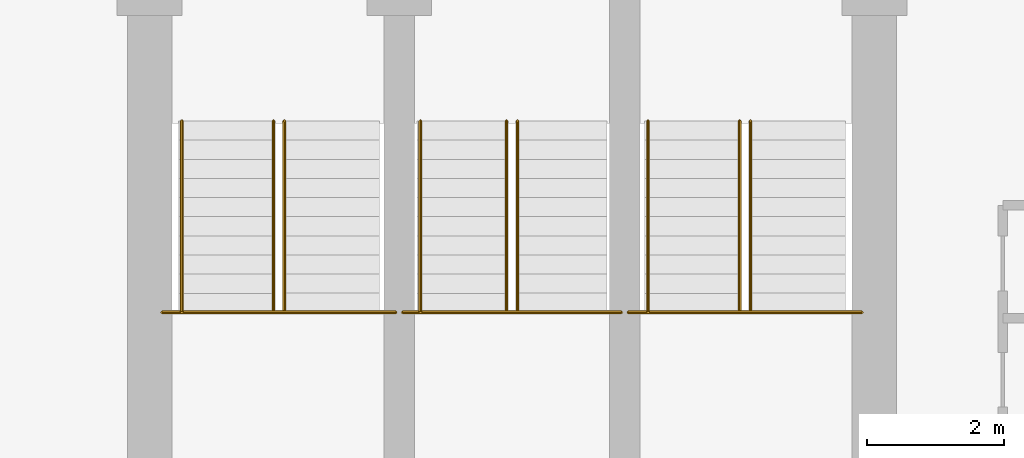
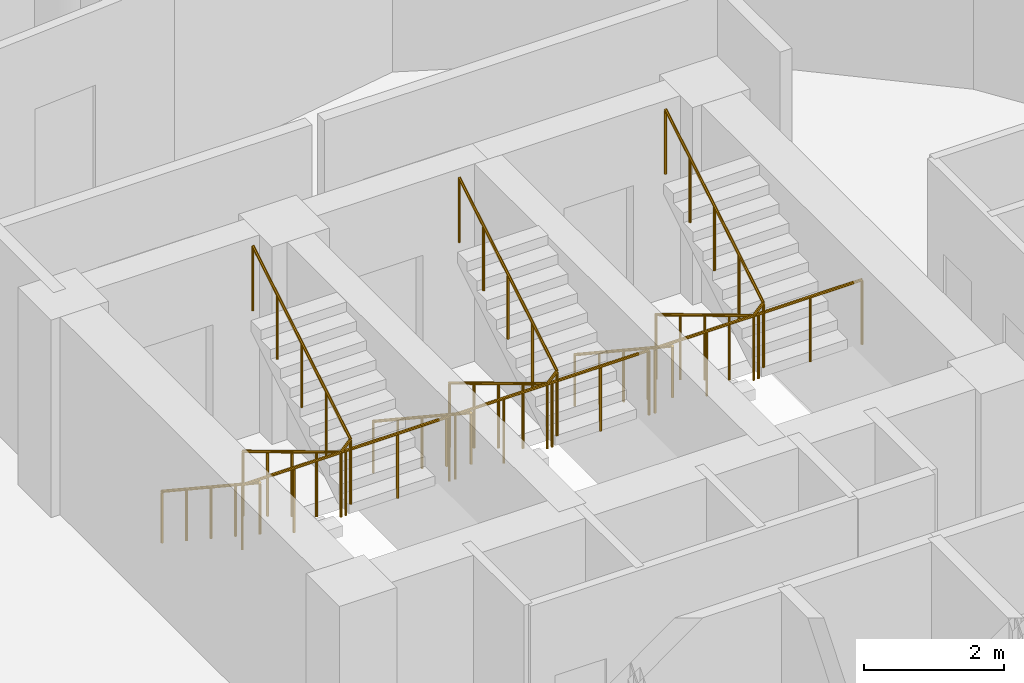
# One storey, part 26 of 26: 9 railings.
"""IFC4 building model written with IfcOpenShell, lengths in metres."""

from ifc_helpers import new_model, si_unit, direction, frame, origin, place, context, subcontext, project, spatial, polyline, outline, extrude, material, type_object, element, save


model = new_model("IFC4")

# Units and contexts
model_context = context("Model", 3, precision=1e-05, world=origin(), true_north=direction((0.0, 1.0)))
body_context = subcontext(model_context, "Body", "Model", "MODEL_VIEW")
ifc_project = project(units=[si_unit("LENGTHUNIT", "METRE"), si_unit("AREAUNIT", "SQUARE_METRE"), si_unit("VOLUMEUNIT", "CUBIC_METRE"), si_unit("PLANEANGLEUNIT", "RADIAN"), si_unit("MASSUNIT", "GRAM", prefix="KILO")], contexts=[model_context])

# Site, building, storey
site_placement = place(None, origin())
site = spatial("IfcSite", under=ifc_project, at=site_placement, CompositionType="ELEMENT")
building_placement = place(site_placement, origin())
building = spatial("IfcBuilding", under=site, at=building_placement, Name="Nuhasar Tower", CompositionType="ELEMENT")
storey_placement = place(building_placement, frame((0.0, 0.0, 170.050048828125)))
storey = spatial("IfcBuildingStorey", under=building, at=storey_placement, Name="L41", CompositionType="ELEMENT", Elevation=170.050048828125)

# Railings
ifc_material_1 = material(Name="Steel S355", Category="steel")
railing_type_1 = type_object("IfcRailingType", Name="RLG-STAIR-GUARD-1150", PredefinedType="GUARDRAIL", material=ifc_material_1)
railing_1_placement = place(storey_placement, frame((33.8798828125, 32.485107421875, 1.849853515625)))
element("IfcRailing", 1, at=railing_1_placement, inside=storey, type_object=railing_type_1, Name="L41 Stair ST-01 Guardrail LND", PredefinedType="GUARDRAIL", context=body_context, shape_type="SweptSolid", body=[
    extrude(outline(polyline([(0.024169921875, 0.0), (0.01708984375, 0.01708984375), (0.0, 0.024169921875), (-0.01708984375, 0.01708984375), (-0.024169921875, 0.0), (-0.01708984375, -0.01708984375), (0.0, -0.024169921875), (0.01708984375, -0.01708984375), (0.024169921875, 0.0)])), frame((0.0, 0.0, 1.1259765625), z_axis=(1.0, 0.0, 0.0), x_axis=(0.0, 1.0, 0.0)), (0.0, 0.0, 1.0), 3.420166015625),
    extrude(outline(polyline([(0.02099609375, 0.0), (0.014892578125, 0.014892578125), (0.0, 0.02099609375), (-0.014892578125, 0.014892578125), (-0.02099609375, 0.0), (-0.014892578125, -0.014892578125), (0.0, -0.02099609375), (0.014892578125, -0.014892578125), (0.02099609375, 0.0)])), origin(), (0.0, 0.0, 1.0), 1.101806640625),
    extrude(outline(polyline([(0.02099609375, 0.0), (0.014892578125, 0.014892578125), (0.0, 0.02099609375), (-0.014892578125, 0.014892578125), (-0.02099609375, 0.0), (-0.014892578125, -0.014892578125), (0.0, -0.02099609375), (0.014892578125, -0.014892578125), (0.02099609375, 0.0)])), frame((0.85498046875, 0.0, 0.0)), (0.0, 0.0, 1.0), 1.101806640625),
    extrude(outline(polyline([(0.02099609375, 0.0), (0.014892578125, 0.014892578125), (0.0, 0.02099609375), (-0.014892578125, 0.014892578125), (-0.02099609375, 0.0), (-0.014892578125, -0.014892578125), (0.0, -0.02099609375), (0.014892578125, -0.014892578125), (0.02099609375, 0.0)])), frame((1.7099609375, 0.0, 0.0)), (0.0, 0.0, 1.0), 1.101806640625),
    extrude(outline(polyline([(0.02099609375, 0.0), (0.014892578125, 0.014892578125), (0.0, 0.02099609375), (-0.014892578125, 0.014892578125), (-0.02099609375, 0.0), (-0.014892578125, -0.014892578125), (0.0, -0.02099609375), (0.014892578125, -0.014892578125), (0.02099609375, 0.0)])), frame((2.565185546875, 0.0, 0.0)), (0.0, 0.0, 1.0), 1.101806640625),
    extrude(outline(polyline([(0.02099609375, 0.0), (0.014892578125, 0.014892578125), (0.0, 0.02099609375), (-0.014892578125, 0.014892578125), (-0.02099609375, 0.0), (-0.014892578125, -0.014892578125), (0.0, -0.02099609375), (0.014892578125, -0.014892578125), (0.02099609375, 0.0)])), frame((3.420166015625, 0.0, 0.0)), (0.0, 0.0, 1.0), 1.101806640625),
])
railing_2_placement = place(storey_placement, frame((35.510009765625, 35.284912109375, 0.16796875)))
element("IfcRailing", 2, at=railing_2_placement, inside=storey, type_object=railing_type_1, Name="L41 Stair ST-01 Guardrail SLT", PredefinedType="GUARDRAIL", context=body_context, shape_type="SweptSolid", body=[
    extrude(outline(polyline([(0.024169921875, 0.0), (0.01708984375, 0.01708984375), (0.0, 0.024169921875), (-0.01708984375, 0.01708984375), (-0.024169921875, 0.0), (-0.01708984375, -0.01708984375), (0.0, -0.024169921875), (0.01708984375, -0.01708984375), (0.024169921875, 0.0)])), frame((0.0, 0.0, 1.1259765625), z_axis=(0.0, -0.857222391501, 0.514946377315), x_axis=(1.0, 0.0, 0.0)), (0.0, 0.0, 1.0), 3.26611328125),
    extrude(outline(polyline([(0.024169921875, 0.0), (0.01708984375, 0.01708984375), (0.0, 0.024169921875), (-0.01708984375, 0.01708984375), (-0.024169921875, 0.0), (-0.01708984375, -0.01708984375), (0.0, -0.024169921875), (0.01708984375, -0.01708984375), (0.024169921875, 0.0)])), frame((0.0, -2.7998046875, 2.8076171875), z_axis=(0.688998229536, 0.0, 0.72476302313), x_axis=(0.0, 1.0, 0.0)), (0.0, 0.0, 1.0), 0.232177734375),
    extrude(outline(polyline([(0.024169921875, 0.0), (0.01708984375, 0.01708984375), (0.0, 0.024169921875), (-0.01708984375, 0.01708984375), (-0.024169921875, 0.0), (-0.01708984375, -0.01708984375), (0.0, -0.024169921875), (0.01708984375, -0.01708984375), (0.024169921875, 0.0)])), frame((0.159912109375, -2.7998046875, 2.97607421875), z_axis=(0.0, 0.857222391501, 0.514946377315), x_axis=(-1.0, 0.0, 0.0)), (0.0, 0.0, 1.0), 3.26611328125),
    extrude(outline(polyline([(0.02099609375, 0.0), (0.014892578125, 0.014892578125), (0.0, 0.02099609375), (-0.014892578125, 0.014892578125), (-0.02099609375, 0.0), (-0.014892578125, -0.014892578125), (0.0, -0.02099609375), (0.014892578125, -0.014892578125), (0.02099609375, 0.0)])), origin(), (0.0, 0.0, 1.0), 1.101806640625),
    extrude(outline(polyline([(0.02099609375, 0.0), (0.014892578125, 0.014892578125), (0.0, 0.02099609375), (-0.014892578125, 0.014892578125), (-0.02099609375, 0.0), (-0.014892578125, -0.014892578125), (0.0, -0.02099609375), (0.014892578125, -0.014892578125), (0.02099609375, 0.0)])), frame((0.0, -0.699951171875, 0.42041015625)), (0.0, 0.0, 1.0), 1.101806640625),
    extrude(outline(polyline([(0.02099609375, 0.0), (0.014892578125, 0.014892578125), (0.0, 0.02099609375), (-0.014892578125, 0.014892578125), (-0.02099609375, 0.0), (-0.014892578125, -0.014892578125), (0.0, -0.02099609375), (0.014892578125, -0.014892578125), (0.02099609375, 0.0)])), frame((0.0, -1.39990234375, 0.8408203125)), (0.0, 0.0, 1.0), 1.101806640625),
    extrude(outline(polyline([(0.02099609375, 0.0), (0.014892578125, 0.014892578125), (0.0, 0.02099609375), (-0.014892578125, 0.014892578125), (-0.02099609375, 0.0), (-0.014892578125, -0.014892578125), (0.0, -0.02099609375), (0.014892578125, -0.014892578125), (0.02099609375, 0.0)])), frame((0.0, -2.099853515625, 1.261474609375)), (0.0, 0.0, 1.0), 1.101806640625),
    extrude(outline(polyline([(0.02099609375, 0.0), (0.014892578125, 0.014892578125), (0.0, 0.02099609375), (-0.014892578125, 0.014892578125), (-0.02099609375, 0.0), (-0.014892578125, -0.014892578125), (0.0, -0.02099609375), (0.014892578125, -0.014892578125), (0.02099609375, 0.0)])), frame((0.0, -2.7998046875, 1.681884765625)), (0.0, 0.0, 1.0), 1.101806640625),
    extrude(outline(polyline([(0.02099609375, 0.0), (0.014892578125, 0.014892578125), (0.0, 0.02099609375), (-0.014892578125, 0.014892578125), (-0.02099609375, 0.0), (-0.014892578125, -0.014892578125), (0.0, -0.02099609375), (0.014892578125, -0.014892578125), (0.02099609375, 0.0)])), frame((0.159912109375, -2.7998046875, 1.85009765625)), (0.0, 0.0, 1.0), 1.101806640625),
    extrude(outline(polyline([(0.02099609375, 0.0), (0.014892578125, 0.014892578125), (0.0, 0.02099609375), (-0.014892578125, 0.014892578125), (-0.02099609375, 0.0), (-0.014892578125, -0.014892578125), (0.0, -0.02099609375), (0.014892578125, -0.014892578125), (0.02099609375, 0.0)])), frame((0.159912109375, -2.099853515625, 2.2705078125)), (0.0, 0.0, 1.0), 1.101806640625),
    extrude(outline(polyline([(0.02099609375, 0.0), (0.014892578125, 0.014892578125), (0.0, 0.02099609375), (-0.014892578125, 0.014892578125), (-0.02099609375, 0.0), (-0.014892578125, -0.014892578125), (0.0, -0.02099609375), (0.014892578125, -0.014892578125), (0.02099609375, 0.0)])), frame((0.159912109375, -1.39990234375, 2.69091796875)), (0.0, 0.0, 1.0), 1.101806640625),
    extrude(outline(polyline([(0.02099609375, 0.0), (0.014892578125, 0.014892578125), (0.0, 0.02099609375), (-0.014892578125, 0.014892578125), (-0.02099609375, 0.0), (-0.014892578125, -0.014892578125), (0.0, -0.02099609375), (0.014892578125, -0.014892578125), (0.02099609375, 0.0)])), frame((0.159912109375, -0.699951171875, 3.111572265625)), (0.0, 0.0, 1.0), 1.101806640625),
    extrude(outline(polyline([(0.02099609375, 0.0), (0.014892578125, 0.014892578125), (0.0, 0.02099609375), (-0.014892578125, 0.014892578125), (-0.02099609375, 0.0), (-0.014892578125, -0.014892578125), (0.0, -0.02099609375), (0.014892578125, -0.014892578125), (0.02099609375, 0.0)])), frame((0.159912109375, 0.0, 3.531982421875)), (0.0, 0.0, 1.0), 1.101806640625),
])
railing_3_placement = place(storey_placement, frame((37.39990234375, 32.485107421875, 1.849853515625)))
element("IfcRailing", 3, at=railing_3_placement, inside=storey, type_object=railing_type_1, Name="L41 Stair ST-03 Guardrail LND", PredefinedType="GUARDRAIL", context=body_context, shape_type="SweptSolid", body=[
    extrude(outline(polyline([(0.024169921875, 0.0), (0.01708984375, 0.01708984375), (0.0, 0.024169921875), (-0.01708984375, 0.01708984375), (-0.024169921875, 0.0), (-0.01708984375, -0.01708984375), (0.0, -0.024169921875), (0.01708984375, -0.01708984375), (0.024169921875, 0.0)])), frame((0.0, 0.0, 1.1259765625), z_axis=(1.0, 0.0, 0.0), x_axis=(0.0, 1.0, 0.0)), (0.0, 0.0, 1.0), 3.2001953125),
    extrude(outline(polyline([(0.02099609375, 0.0), (0.014892578125, 0.014892578125), (0.0, 0.02099609375), (-0.014892578125, 0.014892578125), (-0.02099609375, 0.0), (-0.014892578125, -0.014892578125), (0.0, -0.02099609375), (0.014892578125, -0.014892578125), (0.02099609375, 0.0)])), origin(), (0.0, 0.0, 1.0), 1.101806640625),
    extrude(outline(polyline([(0.02099609375, 0.0), (0.014892578125, 0.014892578125), (0.0, 0.02099609375), (-0.014892578125, 0.014892578125), (-0.02099609375, 0.0), (-0.014892578125, -0.014892578125), (0.0, -0.02099609375), (0.014892578125, -0.014892578125), (0.02099609375, 0.0)])), frame((0.800048828125, 0.0, 0.0)), (0.0, 0.0, 1.0), 1.101806640625),
    extrude(outline(polyline([(0.02099609375, 0.0), (0.014892578125, 0.014892578125), (0.0, 0.02099609375), (-0.014892578125, 0.014892578125), (-0.02099609375, 0.0), (-0.014892578125, -0.014892578125), (0.0, -0.02099609375), (0.014892578125, -0.014892578125), (0.02099609375, 0.0)])), frame((1.60009765625, 0.0, 0.0)), (0.0, 0.0, 1.0), 1.101806640625),
    extrude(outline(polyline([(0.02099609375, 0.0), (0.014892578125, 0.014892578125), (0.0, 0.02099609375), (-0.014892578125, 0.014892578125), (-0.02099609375, 0.0), (-0.014892578125, -0.014892578125), (0.0, -0.02099609375), (0.014892578125, -0.014892578125), (0.02099609375, 0.0)])), frame((2.400146484375, 0.0, 0.0)), (0.0, 0.0, 1.0), 1.101806640625),
    extrude(outline(polyline([(0.02099609375, 0.0), (0.014892578125, 0.014892578125), (0.0, 0.02099609375), (-0.014892578125, 0.014892578125), (-0.02099609375, 0.0), (-0.014892578125, -0.014892578125), (0.0, -0.02099609375), (0.014892578125, -0.014892578125), (0.02099609375, 0.0)])), frame((3.2001953125, 0.0, 0.0)), (0.0, 0.0, 1.0), 1.101806640625),
])
railing_4_placement = place(storey_placement, frame((38.919921875, 35.284912109375, 0.16796875)))
element("IfcRailing", 4, at=railing_4_placement, inside=storey, type_object=railing_type_1, Name="L41 Stair ST-03 Guardrail SLT", PredefinedType="GUARDRAIL", context=body_context, shape_type="SweptSolid", body=[
    extrude(outline(polyline([(0.024169921875, 0.0), (0.01708984375, 0.01708984375), (0.0, 0.024169921875), (-0.01708984375, 0.01708984375), (-0.024169921875, 0.0), (-0.01708984375, -0.01708984375), (0.0, -0.024169921875), (0.01708984375, -0.01708984375), (0.024169921875, 0.0)])), frame((0.0, 0.0, 1.1259765625), z_axis=(0.0, -0.857222391501, 0.514946377315), x_axis=(1.0, 0.0, 0.0)), (0.0, 0.0, 1.0), 3.26611328125),
    extrude(outline(polyline([(0.024169921875, 0.0), (0.01708984375, 0.01708984375), (0.0, 0.024169921875), (-0.01708984375, 0.01708984375), (-0.024169921875, 0.0), (-0.01708984375, -0.01708984375), (0.0, -0.024169921875), (0.01708984375, -0.01708984375), (0.024169921875, 0.0)])), frame((0.0, -2.7998046875, 2.8076171875), z_axis=(0.689550175797, 0.0, 0.724237913298), x_axis=(0.0, 1.0, 0.0)), (0.0, 0.0, 1.0), 0.232177734375),
    extrude(outline(polyline([(0.024169921875, 0.0), (0.01708984375, 0.01708984375), (0.0, 0.024169921875), (-0.01708984375, 0.01708984375), (-0.024169921875, 0.0), (-0.01708984375, -0.01708984375), (0.0, -0.024169921875), (0.01708984375, -0.01708984375), (0.024169921875, 0.0)])), frame((0.16015625, -2.7998046875, 2.97607421875), z_axis=(0.0, 0.857222391501, 0.514946377315), x_axis=(-1.0, 0.0, 0.0)), (0.0, 0.0, 1.0), 3.26611328125),
    extrude(outline(polyline([(0.02099609375, 0.0), (0.014892578125, 0.014892578125), (0.0, 0.02099609375), (-0.014892578125, 0.014892578125), (-0.02099609375, 0.0), (-0.014892578125, -0.014892578125), (0.0, -0.02099609375), (0.014892578125, -0.014892578125), (0.02099609375, 0.0)])), origin(), (0.0, 0.0, 1.0), 1.101806640625),
    extrude(outline(polyline([(0.02099609375, 0.0), (0.014892578125, 0.014892578125), (0.0, 0.02099609375), (-0.014892578125, 0.014892578125), (-0.02099609375, 0.0), (-0.014892578125, -0.014892578125), (0.0, -0.02099609375), (0.014892578125, -0.014892578125), (0.02099609375, 0.0)])), frame((0.0, -0.699951171875, 0.42041015625)), (0.0, 0.0, 1.0), 1.101806640625),
    extrude(outline(polyline([(0.02099609375, 0.0), (0.014892578125, 0.014892578125), (0.0, 0.02099609375), (-0.014892578125, 0.014892578125), (-0.02099609375, 0.0), (-0.014892578125, -0.014892578125), (0.0, -0.02099609375), (0.014892578125, -0.014892578125), (0.02099609375, 0.0)])), frame((0.0, -1.39990234375, 0.8408203125)), (0.0, 0.0, 1.0), 1.101806640625),
    extrude(outline(polyline([(0.02099609375, 0.0), (0.014892578125, 0.014892578125), (0.0, 0.02099609375), (-0.014892578125, 0.014892578125), (-0.02099609375, 0.0), (-0.014892578125, -0.014892578125), (0.0, -0.02099609375), (0.014892578125, -0.014892578125), (0.02099609375, 0.0)])), frame((0.0, -2.099853515625, 1.261474609375)), (0.0, 0.0, 1.0), 1.101806640625),
    extrude(outline(polyline([(0.02099609375, 0.0), (0.014892578125, 0.014892578125), (0.0, 0.02099609375), (-0.014892578125, 0.014892578125), (-0.02099609375, 0.0), (-0.014892578125, -0.014892578125), (0.0, -0.02099609375), (0.014892578125, -0.014892578125), (0.02099609375, 0.0)])), frame((0.0, -2.7998046875, 1.681884765625)), (0.0, 0.0, 1.0), 1.101806640625),
    extrude(outline(polyline([(0.02099609375, 0.0), (0.014892578125, 0.014892578125), (0.0, 0.02099609375), (-0.014892578125, 0.014892578125), (-0.02099609375, 0.0), (-0.014892578125, -0.014892578125), (0.0, -0.02099609375), (0.014892578125, -0.014892578125), (0.02099609375, 0.0)])), frame((0.16015625, -2.7998046875, 1.85009765625)), (0.0, 0.0, 1.0), 1.101806640625),
    extrude(outline(polyline([(0.02099609375, 0.0), (0.014892578125, 0.014892578125), (0.0, 0.02099609375), (-0.014892578125, 0.014892578125), (-0.02099609375, 0.0), (-0.014892578125, -0.014892578125), (0.0, -0.02099609375), (0.014892578125, -0.014892578125), (0.02099609375, 0.0)])), frame((0.16015625, -2.099853515625, 2.2705078125)), (0.0, 0.0, 1.0), 1.101806640625),
    extrude(outline(polyline([(0.02099609375, 0.0), (0.014892578125, 0.014892578125), (0.0, 0.02099609375), (-0.014892578125, 0.014892578125), (-0.02099609375, 0.0), (-0.014892578125, -0.014892578125), (0.0, -0.02099609375), (0.014892578125, -0.014892578125), (0.02099609375, 0.0)])), frame((0.16015625, -1.39990234375, 2.69091796875)), (0.0, 0.0, 1.0), 1.101806640625),
    extrude(outline(polyline([(0.02099609375, 0.0), (0.014892578125, 0.014892578125), (0.0, 0.02099609375), (-0.014892578125, 0.014892578125), (-0.02099609375, 0.0), (-0.014892578125, -0.014892578125), (0.0, -0.02099609375), (0.014892578125, -0.014892578125), (0.02099609375, 0.0)])), frame((0.16015625, -0.699951171875, 3.111572265625)), (0.0, 0.0, 1.0), 1.101806640625),
    extrude(outline(polyline([(0.02099609375, 0.0), (0.014892578125, 0.014892578125), (0.0, 0.02099609375), (-0.014892578125, 0.014892578125), (-0.02099609375, 0.0), (-0.014892578125, -0.014892578125), (0.0, -0.02099609375), (0.014892578125, -0.014892578125), (0.02099609375, 0.0)])), frame((0.16015625, 0.0, 3.531982421875)), (0.0, 0.0, 1.0), 1.101806640625),
])
railing_5_placement = place(storey_placement, frame((40.699951171875, 32.485107421875, 1.849853515625)))
element("IfcRailing", 5, at=railing_5_placement, inside=storey, type_object=railing_type_1, Name="L41 Stair ST-02 Guardrail LND", PredefinedType="GUARDRAIL", context=body_context, shape_type="SweptSolid", body=[
    extrude(outline(polyline([(0.024169921875, 0.0), (0.01708984375, 0.01708984375), (0.0, 0.024169921875), (-0.01708984375, 0.01708984375), (-0.024169921875, 0.0), (-0.01708984375, -0.01708984375), (0.0, -0.024169921875), (0.01708984375, -0.01708984375), (0.024169921875, 0.0)])), frame((0.0, 0.0, 1.1259765625), z_axis=(1.0, 0.0, 0.0), x_axis=(0.0, 1.0, 0.0)), (0.0, 0.0, 1.0), 3.420166015625),
    extrude(outline(polyline([(0.02099609375, 0.0), (0.014892578125, 0.014892578125), (0.0, 0.02099609375), (-0.014892578125, 0.014892578125), (-0.02099609375, 0.0), (-0.014892578125, -0.014892578125), (0.0, -0.02099609375), (0.014892578125, -0.014892578125), (0.02099609375, 0.0)])), origin(), (0.0, 0.0, 1.0), 1.101806640625),
    extrude(outline(polyline([(0.02099609375, 0.0), (0.014892578125, 0.014892578125), (0.0, 0.02099609375), (-0.014892578125, 0.014892578125), (-0.02099609375, 0.0), (-0.014892578125, -0.014892578125), (0.0, -0.02099609375), (0.014892578125, -0.014892578125), (0.02099609375, 0.0)])), frame((0.85498046875, 0.0, 0.0)), (0.0, 0.0, 1.0), 1.101806640625),
    extrude(outline(polyline([(0.02099609375, 0.0), (0.014892578125, 0.014892578125), (0.0, 0.02099609375), (-0.014892578125, 0.014892578125), (-0.02099609375, 0.0), (-0.014892578125, -0.014892578125), (0.0, -0.02099609375), (0.014892578125, -0.014892578125), (0.02099609375, 0.0)])), frame((1.7099609375, 0.0, 0.0)), (0.0, 0.0, 1.0), 1.101806640625),
    extrude(outline(polyline([(0.02099609375, 0.0), (0.014892578125, 0.014892578125), (0.0, 0.02099609375), (-0.014892578125, 0.014892578125), (-0.02099609375, 0.0), (-0.014892578125, -0.014892578125), (0.0, -0.02099609375), (0.014892578125, -0.014892578125), (0.02099609375, 0.0)])), frame((2.565185546875, 0.0, 0.0)), (0.0, 0.0, 1.0), 1.101806640625),
    extrude(outline(polyline([(0.02099609375, 0.0), (0.014892578125, 0.014892578125), (0.0, 0.02099609375), (-0.014892578125, 0.014892578125), (-0.02099609375, 0.0), (-0.014892578125, -0.014892578125), (0.0, -0.02099609375), (0.014892578125, -0.014892578125), (0.02099609375, 0.0)])), frame((3.420166015625, 0.0, 0.0)), (0.0, 0.0, 1.0), 1.101806640625),
])
railing_6_placement = place(storey_placement, frame((42.330078125, 35.284912109375, 0.16796875)))
element("IfcRailing", 6, at=railing_6_placement, inside=storey, type_object=railing_type_1, Name="L41 Stair ST-02 Guardrail SLT", PredefinedType="GUARDRAIL", context=body_context, shape_type="SweptSolid", body=[
    extrude(outline(polyline([(0.024169921875, 0.0), (0.01708984375, 0.01708984375), (0.0, 0.024169921875), (-0.01708984375, 0.01708984375), (-0.024169921875, 0.0), (-0.01708984375, -0.01708984375), (0.0, -0.024169921875), (0.01708984375, -0.01708984375), (0.024169921875, 0.0)])), frame((0.0, 0.0, 1.1259765625), z_axis=(0.0, -0.857222391501, 0.514946377315), x_axis=(1.0, 0.0, 0.0)), (0.0, 0.0, 1.0), 3.26611328125),
    extrude(outline(polyline([(0.024169921875, 0.0), (0.01708984375, 0.01708984375), (0.0, 0.024169921875), (-0.01708984375, 0.01708984375), (-0.024169921875, 0.0), (-0.01708984375, -0.01708984375), (0.0, -0.024169921875), (0.01708984375, -0.01708984375), (0.024169921875, 0.0)])), frame((0.0, -2.7998046875, 2.8076171875), z_axis=(0.688998229536, 0.0, 0.72476302313), x_axis=(0.0, 1.0, 0.0)), (0.0, 0.0, 1.0), 0.232177734375),
    extrude(outline(polyline([(0.024169921875, 0.0), (0.01708984375, 0.01708984375), (0.0, 0.024169921875), (-0.01708984375, 0.01708984375), (-0.024169921875, 0.0), (-0.01708984375, -0.01708984375), (0.0, -0.024169921875), (0.01708984375, -0.01708984375), (0.024169921875, 0.0)])), frame((0.159912109375, -2.7998046875, 2.97607421875), z_axis=(0.0, 0.857222391501, 0.514946377315), x_axis=(-1.0, 0.0, 0.0)), (0.0, 0.0, 1.0), 3.26611328125),
    extrude(outline(polyline([(0.02099609375, 0.0), (0.014892578125, 0.014892578125), (0.0, 0.02099609375), (-0.014892578125, 0.014892578125), (-0.02099609375, 0.0), (-0.014892578125, -0.014892578125), (0.0, -0.02099609375), (0.014892578125, -0.014892578125), (0.02099609375, 0.0)])), origin(), (0.0, 0.0, 1.0), 1.101806640625),
    extrude(outline(polyline([(0.02099609375, 0.0), (0.014892578125, 0.014892578125), (0.0, 0.02099609375), (-0.014892578125, 0.014892578125), (-0.02099609375, 0.0), (-0.014892578125, -0.014892578125), (0.0, -0.02099609375), (0.014892578125, -0.014892578125), (0.02099609375, 0.0)])), frame((0.0, -0.699951171875, 0.42041015625)), (0.0, 0.0, 1.0), 1.101806640625),
    extrude(outline(polyline([(0.02099609375, 0.0), (0.014892578125, 0.014892578125), (0.0, 0.02099609375), (-0.014892578125, 0.014892578125), (-0.02099609375, 0.0), (-0.014892578125, -0.014892578125), (0.0, -0.02099609375), (0.014892578125, -0.014892578125), (0.02099609375, 0.0)])), frame((0.0, -1.39990234375, 0.8408203125)), (0.0, 0.0, 1.0), 1.101806640625),
    extrude(outline(polyline([(0.02099609375, 0.0), (0.014892578125, 0.014892578125), (0.0, 0.02099609375), (-0.014892578125, 0.014892578125), (-0.02099609375, 0.0), (-0.014892578125, -0.014892578125), (0.0, -0.02099609375), (0.014892578125, -0.014892578125), (0.02099609375, 0.0)])), frame((0.0, -2.099853515625, 1.261474609375)), (0.0, 0.0, 1.0), 1.101806640625),
    extrude(outline(polyline([(0.02099609375, 0.0), (0.014892578125, 0.014892578125), (0.0, 0.02099609375), (-0.014892578125, 0.014892578125), (-0.02099609375, 0.0), (-0.014892578125, -0.014892578125), (0.0, -0.02099609375), (0.014892578125, -0.014892578125), (0.02099609375, 0.0)])), frame((0.0, -2.7998046875, 1.681884765625)), (0.0, 0.0, 1.0), 1.101806640625),
    extrude(outline(polyline([(0.02099609375, 0.0), (0.014892578125, 0.014892578125), (0.0, 0.02099609375), (-0.014892578125, 0.014892578125), (-0.02099609375, 0.0), (-0.014892578125, -0.014892578125), (0.0, -0.02099609375), (0.014892578125, -0.014892578125), (0.02099609375, 0.0)])), frame((0.159912109375, -2.7998046875, 1.85009765625)), (0.0, 0.0, 1.0), 1.101806640625),
    extrude(outline(polyline([(0.02099609375, 0.0), (0.014892578125, 0.014892578125), (0.0, 0.02099609375), (-0.014892578125, 0.014892578125), (-0.02099609375, 0.0), (-0.014892578125, -0.014892578125), (0.0, -0.02099609375), (0.014892578125, -0.014892578125), (0.02099609375, 0.0)])), frame((0.159912109375, -2.099853515625, 2.2705078125)), (0.0, 0.0, 1.0), 1.101806640625),
    extrude(outline(polyline([(0.02099609375, 0.0), (0.014892578125, 0.014892578125), (0.0, 0.02099609375), (-0.014892578125, 0.014892578125), (-0.02099609375, 0.0), (-0.014892578125, -0.014892578125), (0.0, -0.02099609375), (0.014892578125, -0.014892578125), (0.02099609375, 0.0)])), frame((0.159912109375, -1.39990234375, 2.69091796875)), (0.0, 0.0, 1.0), 1.101806640625),
    extrude(outline(polyline([(0.02099609375, 0.0), (0.014892578125, 0.014892578125), (0.0, 0.02099609375), (-0.014892578125, 0.014892578125), (-0.02099609375, 0.0), (-0.014892578125, -0.014892578125), (0.0, -0.02099609375), (0.014892578125, -0.014892578125), (0.02099609375, 0.0)])), frame((0.159912109375, -0.699951171875, 3.111572265625)), (0.0, 0.0, 1.0), 1.101806640625),
    extrude(outline(polyline([(0.02099609375, 0.0), (0.014892578125, 0.014892578125), (0.0, 0.02099609375), (-0.014892578125, 0.014892578125), (-0.02099609375, 0.0), (-0.014892578125, -0.014892578125), (0.0, -0.02099609375), (0.014892578125, -0.014892578125), (0.02099609375, 0.0)])), frame((0.159912109375, 0.0, 3.531982421875)), (0.0, 0.0, 1.0), 1.101806640625),
])
ifc_material_2 = material(Name="Stainless Steel 316L", Category="steel")
railing_type_2 = type_object("IfcRailingType", Name="RLG-STAIR-HAND-920", PredefinedType="HANDRAIL", material=ifc_material_2)
railing_7_placement = place(storey_placement, frame((34.169921875, 35.284912109375, 0.16796875)))
element("IfcRailing", 7, at=railing_7_placement, inside=storey, type_object=railing_type_2, Name="L41 Stair ST-01 Handrail HND1", PredefinedType="HANDRAIL", context=body_context, shape_type="SweptSolid", body=[
    extrude(outline(polyline([(0.024169921875, 0.0), (0.01708984375, 0.01708984375), (0.0, 0.024169921875), (-0.01708984375, 0.01708984375), (-0.024169921875, 0.0), (-0.01708984375, -0.01708984375), (0.0, -0.024169921875), (0.01708984375, -0.01708984375), (0.024169921875, 0.0)])), frame((0.0, 0.0, 0.89599609375), z_axis=(0.0, -0.834304248922, 0.551304290053), x_axis=(1.0, 0.0, 0.0)), (0.0, 0.0, 1.0), 3.35595703125),
    extrude(outline(polyline([(0.02099609375, 0.0), (0.014892578125, 0.014892578125), (0.0, 0.02099609375), (-0.014892578125, 0.014892578125), (-0.02099609375, 0.0), (-0.014892578125, -0.014892578125), (0.0, -0.02099609375), (0.014892578125, -0.014892578125), (0.02099609375, 0.0)])), origin(), (0.0, 0.0, 1.0), 0.871826171875),
    extrude(outline(polyline([(0.02099609375, 0.0), (0.014892578125, 0.014892578125), (0.0, 0.02099609375), (-0.014892578125, 0.014892578125), (-0.02099609375, 0.0), (-0.014892578125, -0.014892578125), (0.0, -0.02099609375), (0.014892578125, -0.014892578125), (0.02099609375, 0.0)])), frame((0.0, -0.699951171875, 0.46240234375)), (0.0, 0.0, 1.0), 0.871826171875),
    extrude(outline(polyline([(0.02099609375, 0.0), (0.014892578125, 0.014892578125), (0.0, 0.02099609375), (-0.014892578125, 0.014892578125), (-0.02099609375, 0.0), (-0.014892578125, -0.014892578125), (0.0, -0.02099609375), (0.014892578125, -0.014892578125), (0.02099609375, 0.0)])), frame((0.0, -1.39990234375, 0.925048828125)), (0.0, 0.0, 1.0), 0.871826171875),
    extrude(outline(polyline([(0.02099609375, 0.0), (0.014892578125, 0.014892578125), (0.0, 0.02099609375), (-0.014892578125, 0.014892578125), (-0.02099609375, 0.0), (-0.014892578125, -0.014892578125), (0.0, -0.02099609375), (0.014892578125, -0.014892578125), (0.02099609375, 0.0)])), frame((0.0, -2.099853515625, 1.3876953125)), (0.0, 0.0, 1.0), 0.871826171875),
    extrude(outline(polyline([(0.02099609375, 0.0), (0.014892578125, 0.014892578125), (0.0, 0.02099609375), (-0.014892578125, 0.014892578125), (-0.02099609375, 0.0), (-0.014892578125, -0.014892578125), (0.0, -0.02099609375), (0.014892578125, -0.014892578125), (0.02099609375, 0.0)])), frame((0.0, -2.7998046875, 1.85009765625)), (0.0, 0.0, 1.0), 0.871826171875),
])
railing_8_placement = place(storey_placement, frame((37.659912109375, 35.284912109375, 0.16796875)))
element("IfcRailing", 8, at=railing_8_placement, inside=storey, type_object=railing_type_2, Name="L41 Stair ST-03 Handrail HND1", PredefinedType="HANDRAIL", context=body_context, shape_type="SweptSolid", body=[
    extrude(outline(polyline([(0.024169921875, 0.0), (0.01708984375, 0.01708984375), (0.0, 0.024169921875), (-0.01708984375, 0.01708984375), (-0.024169921875, 0.0), (-0.01708984375, -0.01708984375), (0.0, -0.024169921875), (0.01708984375, -0.01708984375), (0.024169921875, 0.0)])), frame((0.0, 0.0, 0.89599609375), z_axis=(0.0, -0.834304248922, 0.551304290053), x_axis=(1.0, 0.0, 0.0)), (0.0, 0.0, 1.0), 3.35595703125),
    extrude(outline(polyline([(0.02099609375, 0.0), (0.014892578125, 0.014892578125), (0.0, 0.02099609375), (-0.014892578125, 0.014892578125), (-0.02099609375, 0.0), (-0.014892578125, -0.014892578125), (0.0, -0.02099609375), (0.014892578125, -0.014892578125), (0.02099609375, 0.0)])), origin(), (0.0, 0.0, 1.0), 0.871826171875),
    extrude(outline(polyline([(0.02099609375, 0.0), (0.014892578125, 0.014892578125), (0.0, 0.02099609375), (-0.014892578125, 0.014892578125), (-0.02099609375, 0.0), (-0.014892578125, -0.014892578125), (0.0, -0.02099609375), (0.014892578125, -0.014892578125), (0.02099609375, 0.0)])), frame((0.0, -0.699951171875, 0.46240234375)), (0.0, 0.0, 1.0), 0.871826171875),
    extrude(outline(polyline([(0.02099609375, 0.0), (0.014892578125, 0.014892578125), (0.0, 0.02099609375), (-0.014892578125, 0.014892578125), (-0.02099609375, 0.0), (-0.014892578125, -0.014892578125), (0.0, -0.02099609375), (0.014892578125, -0.014892578125), (0.02099609375, 0.0)])), frame((0.0, -1.39990234375, 0.925048828125)), (0.0, 0.0, 1.0), 0.871826171875),
    extrude(outline(polyline([(0.02099609375, 0.0), (0.014892578125, 0.014892578125), (0.0, 0.02099609375), (-0.014892578125, 0.014892578125), (-0.02099609375, 0.0), (-0.014892578125, -0.014892578125), (0.0, -0.02099609375), (0.014892578125, -0.014892578125), (0.02099609375, 0.0)])), frame((0.0, -2.099853515625, 1.3876953125)), (0.0, 0.0, 1.0), 0.871826171875),
    extrude(outline(polyline([(0.02099609375, 0.0), (0.014892578125, 0.014892578125), (0.0, 0.02099609375), (-0.014892578125, 0.014892578125), (-0.02099609375, 0.0), (-0.014892578125, -0.014892578125), (0.0, -0.02099609375), (0.014892578125, -0.014892578125), (0.02099609375, 0.0)])), frame((0.0, -2.7998046875, 1.85009765625)), (0.0, 0.0, 1.0), 0.871826171875),
])
railing_9_placement = place(storey_placement, frame((40.989990234375, 35.284912109375, 0.16796875)))
element("IfcRailing", 9, at=railing_9_placement, inside=storey, type_object=railing_type_2, Name="L41 Stair ST-02 Handrail HND1", PredefinedType="HANDRAIL", context=body_context, shape_type="SweptSolid", body=[
    extrude(outline(polyline([(0.024169921875, 0.0), (0.01708984375, 0.01708984375), (0.0, 0.024169921875), (-0.01708984375, 0.01708984375), (-0.024169921875, 0.0), (-0.01708984375, -0.01708984375), (0.0, -0.024169921875), (0.01708984375, -0.01708984375), (0.024169921875, 0.0)])), frame((0.0, 0.0, 0.89599609375), z_axis=(0.0, -0.834304248922, 0.551304290053), x_axis=(1.0, 0.0, 0.0)), (0.0, 0.0, 1.0), 3.35595703125),
    extrude(outline(polyline([(0.02099609375, 0.0), (0.014892578125, 0.014892578125), (0.0, 0.02099609375), (-0.014892578125, 0.014892578125), (-0.02099609375, 0.0), (-0.014892578125, -0.014892578125), (0.0, -0.02099609375), (0.014892578125, -0.014892578125), (0.02099609375, 0.0)])), origin(), (0.0, 0.0, 1.0), 0.871826171875),
    extrude(outline(polyline([(0.02099609375, 0.0), (0.014892578125, 0.014892578125), (0.0, 0.02099609375), (-0.014892578125, 0.014892578125), (-0.02099609375, 0.0), (-0.014892578125, -0.014892578125), (0.0, -0.02099609375), (0.014892578125, -0.014892578125), (0.02099609375, 0.0)])), frame((0.0, -0.699951171875, 0.46240234375)), (0.0, 0.0, 1.0), 0.871826171875),
    extrude(outline(polyline([(0.02099609375, 0.0), (0.014892578125, 0.014892578125), (0.0, 0.02099609375), (-0.014892578125, 0.014892578125), (-0.02099609375, 0.0), (-0.014892578125, -0.014892578125), (0.0, -0.02099609375), (0.014892578125, -0.014892578125), (0.02099609375, 0.0)])), frame((0.0, -1.39990234375, 0.925048828125)), (0.0, 0.0, 1.0), 0.871826171875),
    extrude(outline(polyline([(0.02099609375, 0.0), (0.014892578125, 0.014892578125), (0.0, 0.02099609375), (-0.014892578125, 0.014892578125), (-0.02099609375, 0.0), (-0.014892578125, -0.014892578125), (0.0, -0.02099609375), (0.014892578125, -0.014892578125), (0.02099609375, 0.0)])), frame((0.0, -2.099853515625, 1.3876953125)), (0.0, 0.0, 1.0), 0.871826171875),
    extrude(outline(polyline([(0.02099609375, 0.0), (0.014892578125, 0.014892578125), (0.0, 0.02099609375), (-0.014892578125, 0.014892578125), (-0.02099609375, 0.0), (-0.014892578125, -0.014892578125), (0.0, -0.02099609375), (0.014892578125, -0.014892578125), (0.02099609375, 0.0)])), frame((0.0, -2.7998046875, 1.85009765625)), (0.0, 0.0, 1.0), 0.871826171875),
])

save(model, "model.ifc")
